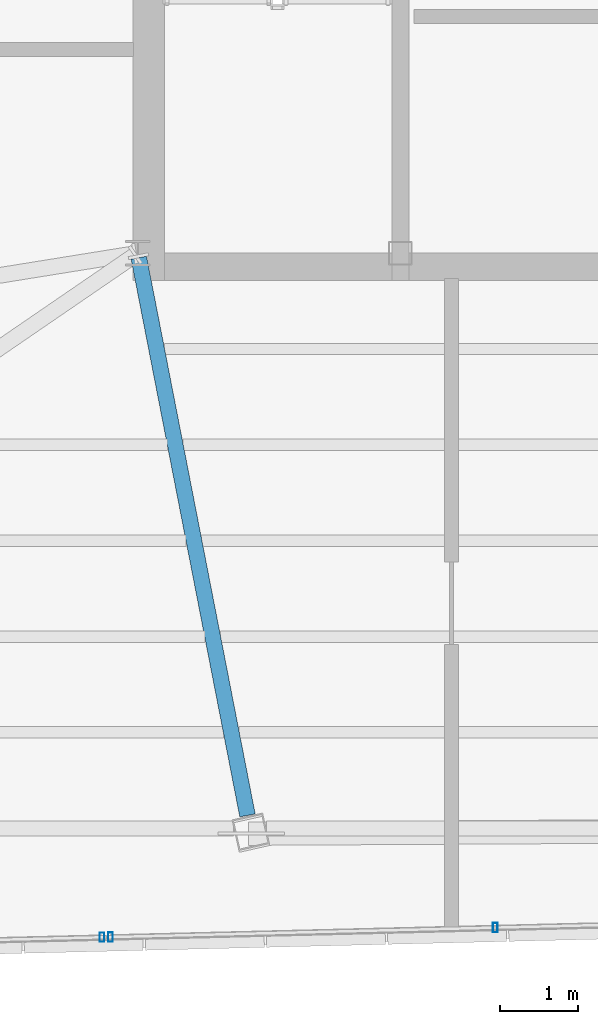
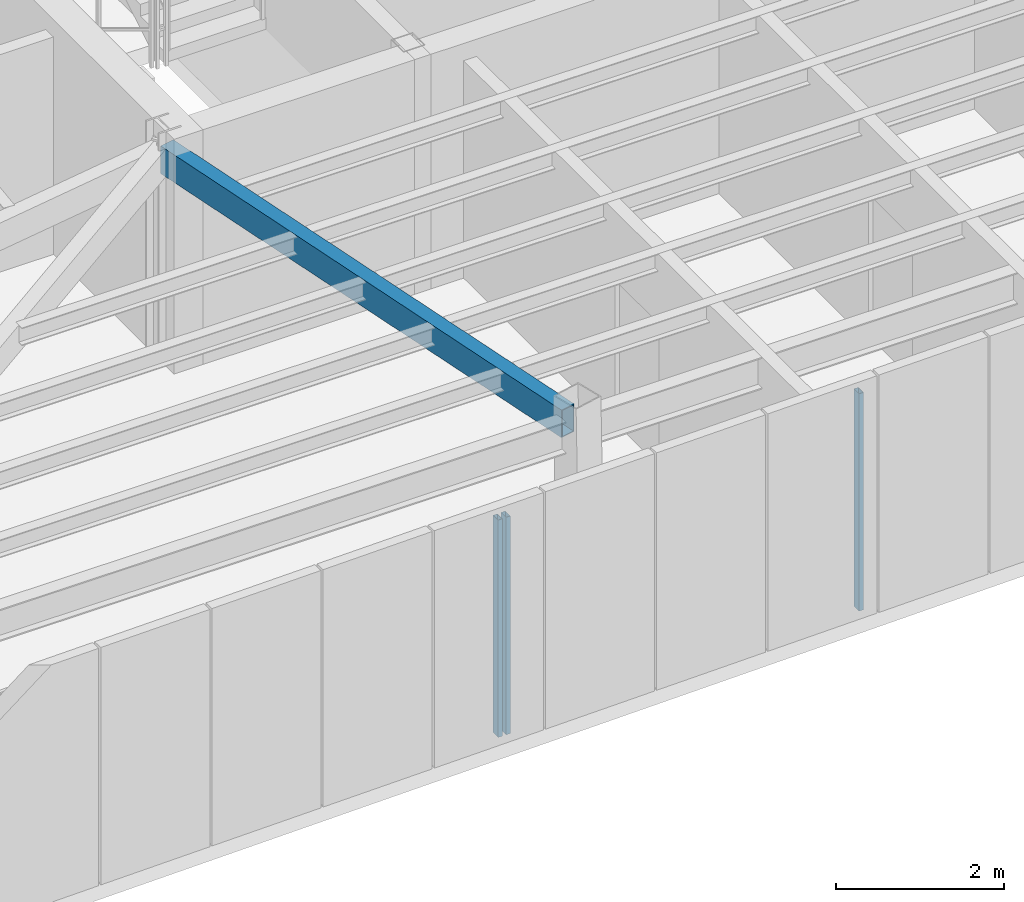
# One storey, part 11 of 44: 3 members, 1 beam, 2 elements without a shape of their own.
"""IFC4 building model written with IfcOpenShell, lengths in metres."""

from ifc_helpers import new_model, si_unit, direction, frame, origin, origin_2d, place, context, subcontext, project, spatial, hollow_rectangle, extrude, source, transform, mapped, material, material_profile, profile_set, type_object, type_shapes, element, aggregate, save


model = new_model("IFC4")

# Units and contexts
model_context = context("Model", 3, precision=1e-05, world=origin(), true_north=direction((0.0, 1.0)))
body_context = subcontext(model_context, "Body", "Model", "MODEL_VIEW")
ifc_project = project(units=[si_unit("LENGTHUNIT", "METRE"), si_unit("AREAUNIT", "SQUARE_METRE"), si_unit("VOLUMEUNIT", "CUBIC_METRE"), si_unit("PLANEANGLEUNIT", "RADIAN"), si_unit("MASSUNIT", "GRAM", prefix="KILO")], contexts=[model_context])

# Site, building, storey
site_placement = place(None, origin())
site = spatial("IfcSite", under=ifc_project, at=site_placement, CompositionType="ELEMENT")
building_placement = place(site_placement, origin())
building = spatial("IfcBuilding", under=site, at=building_placement, Name="Caelisora Broadcast Tower", CompositionType="ELEMENT")
storey_placement = place(building_placement, frame((0.0, 0.0, 289.800048828125)))
storey = spatial("IfcBuildingStorey", under=building, at=storey_placement, Name="L76", CompositionType="ELEMENT", Elevation=289.800048828125)

# Beam
ifc_material_1 = material(Name="Steel Grade 350 (AS/NZS 1163 C350L0)", Category="steel")
ifc_material_profile_1 = material_profile(ifc_material_1, hollow_rectangle(XDim=0.199951171875, YDim=0.39990234375, WallThickness=0.012451171875, at=origin_2d()), Name="Steel Grade 350 (AS/NZS 1163 C350L0)")
ifc_profile_set_1 = profile_set([ifc_material_profile_1], Name="Steel Grade 350 (AS/NZS 1163 C350L0)")
beam_type = type_object("IfcBeamType", Name="PG07", PredefinedType="BEAM", material=ifc_profile_set_1)
shared_shape_1 = source(origin(), body_context, "Body", "SweptSolid", [
    extrude(hollow_rectangle(XDim=0.199951171875, YDim=0.39990234375, WallThickness=0.012451171875, at=origin_2d()), origin(), (0.0, 0.0, 1.0), 7.249267578125),
])
type_shapes(beam_type, [shared_shape_1])
beam_placement = place(storey_placement, frame((30.511474609375, 17.341064453125, 2.949951171875), z_axis=(0.191288796428, -0.98153379787, 0.0), x_axis=(0.98153379787, 0.191288796428, 0.0)))
element("IfcBeam", 1, at=beam_placement, inside=storey, type_object=beam_type, Name="L76 beam PG07", PredefinedType="BEAM", context=body_context, shape_type="MappedRepresentation", body=[
    mapped(shared_shape_1, transform((0.0, 0.0, 0.0), scale=1.0)),
])

# Curtain wall, members
ifc_material_2 = material(Name="Unitised Aluminium Insulated Shadow-Box Spandrel Curtain Wall", Category="aluminium")
curtain_wall_type = type_object("IfcCurtainWallType", Name="CW-SP3", PredefinedType="NOTDEFINED", material=ifc_material_2)
curtain_wall_1_placement = place(storey_placement, origin())
curtain_wall_1 = element("IfcCurtainWall", 2, at=curtain_wall_1_placement, inside=storey, type_object=curtain_wall_type, Name="L76 curtain wall CW-SP3", PredefinedType="NOTDEFINED")
ifc_material_3 = material(Name="Aluminium 6063-T6 Anodised Terracotta Bronze", Category="aluminium")
ifc_material_profile_2 = material_profile(ifc_material_3, hollow_rectangle(XDim=0.06005859375, YDim=0.1201171875, WallThickness=0.0029296875, at=origin_2d()), Name="Aluminium 6063-T6 Anodised Terracotta Bronze")
ifc_profile_set_2 = profile_set([ifc_material_profile_2], Name="Aluminium 6063-T6 Anodised Terracotta Bronze")
member_type = type_object("IfcMemberType", Name="CWM-04", PredefinedType="MULLION", material=ifc_profile_set_2)
shared_shape_2 = source(origin(), body_context, "Body", "SweptSolid", [
    extrude(hollow_rectangle(XDim=0.06005859375, YDim=0.1201171875, WallThickness=0.0029296875, at=origin_2d()), origin(), (0.0, 0.0, 1.0), 3.14990234375),
])
type_shapes(member_type, [shared_shape_2])
member_1_placement = place(storey_placement, frame((35.058349609375, 8.793701171875, 0.0), z_axis=(0.0, 0.0, 1.0), x_axis=(1.0, 0.0, 0.0)))
member_1 = element("IfcMember", 3, at=member_1_placement, type_object=member_type, Name="L76-CW-B06 mullion #2", PredefinedType="MULLION", context=body_context, shape_type="MappedRepresentation", body=[
    mapped(shared_shape_2, transform((0.0, 0.0, 0.0), scale=1.0)),
])
member_2_placement = place(storey_placement, frame((30.15087890625, 8.67333984375, 0.0), z_axis=(0.0, 0.0, 1.0), x_axis=(1.0, 0.0, 0.0)))
member_2 = element("IfcMember", 4, at=member_2_placement, type_object=member_type, Name="L76-CW-B06 mullion #3", PredefinedType="MULLION", context=body_context, shape_type="MappedRepresentation", body=[
    mapped(shared_shape_2, transform((0.0, 0.0, 0.0), scale=1.0)),
])
aggregate(curtain_wall_1, [member_1, member_2])

# Curtain wall, member
curtain_wall_2_placement = place(storey_placement, origin())
curtain_wall_2 = element("IfcCurtainWall", 5, at=curtain_wall_2_placement, inside=storey, type_object=curtain_wall_type, Name="L76 curtain wall CW-SP3", PredefinedType="NOTDEFINED")
member_3_placement = place(storey_placement, frame((30.041015625, 8.670654296875, 0.0), z_axis=(0.0, 0.0, 1.0), x_axis=(1.0, 0.0, 0.0)))
member_3 = element("IfcMember", 6, at=member_3_placement, type_object=member_type, Name="L76-CW-B07 mullion #0", PredefinedType="MULLION", context=body_context, shape_type="MappedRepresentation", body=[
    mapped(shared_shape_2, transform((0.0, 0.0, 0.0), scale=1.0)),
])
aggregate(curtain_wall_2, [member_3])

save(model, "model.ifc")
